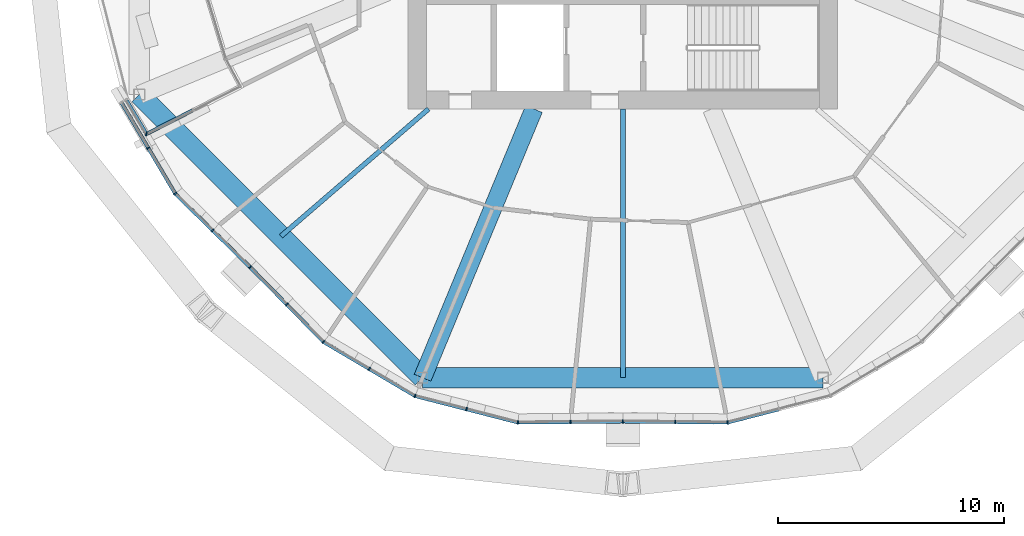
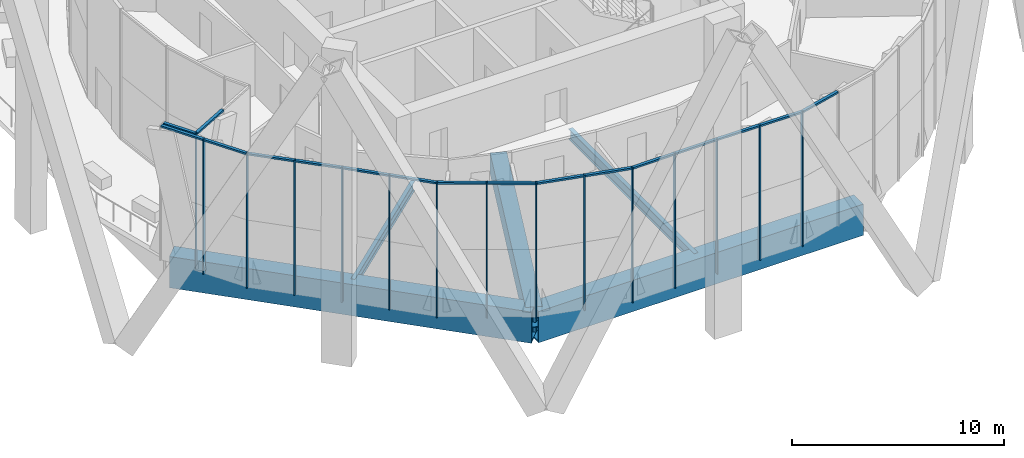
# One storey, part 3 of 30: 32 members, 5 beams, 4 elements without a shape of their own.
"""IFC4 building model written with IfcOpenShell, lengths in metres."""

from ifc_helpers import new_model, si_unit, direction, frame, origin, origin_2d, place, context, subcontext, project, spatial, rectangle, hollow_rectangle, i_section, extrude, material, material_profile, profile_set, type_object, element, aggregate, save


model = new_model("IFC4")

# Units and contexts
model_context = context("Model", 3, precision=1e-05, world=origin(), true_north=direction((0.0, 1.0)))
body_context = subcontext(model_context, "Body", "Model", "MODEL_VIEW")
ifc_project = project(units=[si_unit("LENGTHUNIT", "METRE"), si_unit("AREAUNIT", "SQUARE_METRE"), si_unit("VOLUMEUNIT", "CUBIC_METRE"), si_unit("PLANEANGLEUNIT", "RADIAN"), si_unit("MASSUNIT", "GRAM", prefix="KILO")], contexts=[model_context])

# Site, building, storey
site_placement = place(None, origin())
site = spatial("IfcSite", under=ifc_project, at=site_placement, CompositionType="ELEMENT")
building_placement = place(site_placement, origin())
building = spatial("IfcBuilding", under=site, at=building_placement, Name="Ogive Gate Towers", CompositionType="ELEMENT")
storey_placement = place(building_placement, frame((0.0, 0.0, 99.60009765625)))
storey = spatial("IfcBuildingStorey", under=building, at=storey_placement, Name="L23", CompositionType="ELEMENT", Elevation=99.60009765625)

# Beams
ifc_material_1 = material(Name="Steel SM460", Category="steel")
ifc_material_profile_1 = material_profile(ifc_material_1, hollow_rectangle(XDim=0.89990234375, YDim=1.800048828125, WallThickness=0.080078125, at=origin_2d()), Name="BX 1800x900x80")
ifc_profile_set_1 = profile_set([ifc_material_profile_1], Name="Steel SM460")
beam_type_1 = type_object("IfcBeamType", Name="Edge girder BX 1800x900x80", PredefinedType="BEAM", material=ifc_profile_set_1)
beam_1_placement = place(storey_placement, frame((-57.39697265625, -8.863037109375, -1.2001953125), z_axis=(0.707106781187, -0.707106781187, 0.0), x_axis=(0.707106781187, 0.707106781187, 0.0)))
element("IfcBeam", 1, at=beam_1_placement, inside=storey, type_object=beam_type_1, Name="T1/L23/SBM017", PredefinedType="BEAM", context=body_context, shape_type="SweptSolid", body=[
    extrude(hollow_rectangle(XDim=0.89990234375, YDim=1.800048828125, WallThickness=0.080078125, at=origin_2d()), origin(), (0.0, 0.0, 1.0), 17.7255859375),
])
beam_2_placement = place(storey_placement, frame((-44.863037109375, -21.39697265625, -1.2001953125), z_axis=(1.0, 0.0, 0.0), x_axis=(0.0, 1.0, 0.0)))
element("IfcBeam", 2, at=beam_2_placement, inside=storey, type_object=beam_type_1, Name="T1/L23/SBM018", PredefinedType="BEAM", context=body_context, shape_type="SweptSolid", body=[
    extrude(hollow_rectangle(XDim=0.89990234375, YDim=1.800048828125, WallThickness=0.080078125, at=origin_2d()), origin(), (0.0, 0.0, 1.0), 17.72607421875),
])
ifc_material_2 = material(Name="Steel SM355", Category="steel")
ifc_material_profile_2 = material_profile(ifc_material_2, i_section(OverallWidth=0.2099609375, OverallDepth=0.550048828125, WebThickness=0.010986328125, FlangeThickness=0.01708984375, FilletRadius=0.02392578125, at=origin_2d()), Name="IPE 550")
ifc_profile_set_2 = profile_set([ifc_material_profile_2], Name="Steel SM355")
beam_type_2 = type_object("IfcBeamType", Name="Radial floor beam IPE 550", PredefinedType="BEAM", material=ifc_profile_set_2)
beam_3_placement = place(storey_placement, frame((-44.60009765625, -9.5, -0.5751953125), z_axis=(-0.757366499315, -0.652990034928, 0.0), x_axis=(0.652990034928, -0.757366499315, 0.0)))
element("IfcBeam", 3, at=beam_3_placement, inside=storey, type_object=beam_type_2, Name="T1/L23/SBM002", PredefinedType="BEAM", context=body_context, shape_type="SweptSolid", body=[
    extrude(i_section(OverallWidth=0.2099609375, OverallDepth=0.550048828125, WebThickness=0.010986328125, FlangeThickness=0.01708984375, FilletRadius=0.02392578125, at=origin_2d()), origin(), (0.0, 0.0, 1.0), 8.62158203125),
])
ifc_material_profile_3 = material_profile(ifc_material_2, i_section(OverallWidth=0.219970703125, OverallDepth=0.60009765625, WebThickness=0.011962890625, FlangeThickness=0.01904296875, FilletRadius=0.02392578125, at=origin_2d()), Name="IPE 600")
ifc_profile_set_3 = profile_set([ifc_material_profile_3], Name="Steel SM355")
beam_type_3 = type_object("IfcBeamType", Name="Radial floor beam IPE 600", PredefinedType="BEAM", material=ifc_profile_set_3)
beam_4_placement = place(storey_placement, frame((-36.0, -9.5, -0.60009765625), z_axis=(0.0, -1.0, 0.0), x_axis=(1.0, 0.0, 0.0)))
element("IfcBeam", 4, at=beam_4_placement, inside=storey, type_object=beam_type_3, Name="T1/L23/SBM004", PredefinedType="BEAM", context=body_context, shape_type="SweptSolid", body=[
    extrude(i_section(OverallWidth=0.219970703125, OverallDepth=0.60009765625, WebThickness=0.011962890625, FlangeThickness=0.01904296875, FilletRadius=0.02392578125, at=origin_2d()), origin(), (0.0, 0.0, 1.0), 11.89697265625),
])

# Curtain wall, members
ifc_material_3 = material(Name="Pale metal aluminium", Category="aluminium")
curtain_wall_type = type_object("IfcCurtainWallType", Name="Tower unitised wall, low zone", PredefinedType="NOTDEFINED", material=ifc_material_3)
curtain_wall_1_placement = place(storey_placement, origin())
curtain_wall_1 = element("IfcCurtainWall", 5, at=curtain_wall_1_placement, inside=storey, type_object=curtain_wall_type, Name="CW1 T1 ECW07", PredefinedType="NOTDEFINED")
ifc_material_profile_4 = material_profile(ifc_material_3, rectangle(XDim=0.159912109375, YDim=0.06005859375, at=origin_2d()), Name="60 x 160 aluminium box")
ifc_profile_set_4 = profile_set([ifc_material_profile_4], Name="Pale metal aluminium")
member_type_1 = type_object("IfcMemberType", Name="Tower unitised wall, low zone mullion 60 x 160", PredefinedType="MULLION", material=ifc_profile_set_4)
member_1_placement = place(storey_placement, frame((-52.49658203125, -16.4970703125, -0.300048828125), z_axis=(0.0, 0.0, 1.0), x_axis=(0.700299028189, 0.713849613797, 0.0)))
member_1 = element("IfcMember", 6, at=member_1_placement, type_object=member_type_1, Name="CW1 mullion", PredefinedType="MULLION", context=body_context, shape_type="SweptSolid", body=[
    extrude(rectangle(XDim=0.159912109375, YDim=0.06005859375, at=origin_2d()), origin(), (0.0, 0.0, 1.0), 7.800048828125),
])
member_2_placement = place(storey_placement, frame((-54.152099609375, -14.873046875, -0.300048828125), z_axis=(0.0, 0.0, 1.0), x_axis=(0.700299028189, 0.713849613797, 0.0)))
member_2 = element("IfcMember", 7, at=member_2_placement, type_object=member_type_1, Name="CW1 mullion", PredefinedType="MULLION", context=body_context, shape_type="SweptSolid", body=[
    extrude(rectangle(XDim=0.159912109375, YDim=0.06005859375, at=origin_2d()), origin(), (0.0, 0.0, 1.0), 7.800048828125),
])
member_3_placement = place(storey_placement, frame((-55.809326171875, -13.2470703125, -0.300048828125), z_axis=(0.0, 0.0, 1.0), x_axis=(0.787387121413, 0.616458855912, 0.0)))
member_3 = element("IfcMember", 8, at=member_3_placement, type_object=member_type_1, Name="CW1 mullion", PredefinedType="MULLION", context=body_context, shape_type="SweptSolid", body=[
    extrude(rectangle(XDim=0.159912109375, YDim=0.06005859375, at=origin_2d()), origin(), (0.0, 0.0, 1.0), 7.800048828125),
])
member_4_placement = place(storey_placement, frame((-57.001953125, -11.22802734375, -0.300048828125), z_axis=(0.0, 0.0, 1.0), x_axis=(0.86103507103, 0.508545579527, 0.0)))
member_4 = element("IfcMember", 9, at=member_4_placement, type_object=member_type_1, Name="CW1 mullion", PredefinedType="MULLION", context=body_context, shape_type="SweptSolid", body=[
    extrude(rectangle(XDim=0.159912109375, YDim=0.06005859375, at=origin_2d()), origin(), (0.0, 0.0, 1.0), 7.800048828125),
])

# Curtain wall, member
curtain_wall_2_placement = place(storey_placement, origin())
curtain_wall_2 = element("IfcCurtainWall", 10, at=curtain_wall_2_placement, inside=storey, type_object=curtain_wall_type, Name="CW1 T1 ECW07b", PredefinedType="NOTDEFINED")
member_5_placement = place(storey_placement, frame((-57.090087890625, -10.617431640625, -0.300048828125), z_axis=(0.0, 0.0, 1.0), x_axis=(-0.279259259743, -0.960215739221, 0.0)))
member_5 = element("IfcMember", 11, at=member_5_placement, type_object=member_type_1, Name="CW1 mullion", PredefinedType="MULLION", context=body_context, shape_type="SweptSolid", body=[
    extrude(rectangle(XDim=0.159912109375, YDim=0.06005859375, at=origin_2d()), origin(), (0.0, 0.0, 1.0), 7.800048828125),
])

# Curtain wall, members
curtain_wall_3_placement = place(storey_placement, origin())
curtain_wall_3 = element("IfcCurtainWall", 12, at=curtain_wall_3_placement, inside=storey, type_object=curtain_wall_type, Name="CW1 T1 ECW08", PredefinedType="NOTDEFINED")
member_6_placement = place(storey_placement, frame((-35.999755859375, -23.330078125, -0.300048828125), z_axis=(0.0, 0.0, 1.0), x_axis=(-0.009616615949, 0.99995375928, 0.0)))
member_6 = element("IfcMember", 13, at=member_6_placement, type_object=member_type_1, Name="CW1 mullion", PredefinedType="MULLION", context=body_context, shape_type="SweptSolid", body=[
    extrude(rectangle(XDim=0.159912109375, YDim=0.06005859375, at=origin_2d()), origin(), (0.0, 0.0, 1.0), 7.800048828125),
])
member_7_placement = place(storey_placement, frame((-38.318603515625, -23.352294921875, -0.300048828125), z_axis=(0.0, 0.0, 1.0), x_axis=(-0.009599163462, 0.999953926969, 0.0)))
member_7 = element("IfcMember", 14, at=member_7_placement, type_object=member_type_1, Name="CW1 mullion", PredefinedType="MULLION", context=body_context, shape_type="SweptSolid", body=[
    extrude(rectangle(XDim=0.159912109375, YDim=0.06005859375, at=origin_2d()), origin(), (0.0, 0.0, 1.0), 7.800048828125),
])
member_8_placement = place(storey_placement, frame((-40.64013671875, -23.37451171875, -0.300048828125), z_axis=(0.0, 0.0, 1.0), x_axis=(0.120864535632, 0.992669010308, 0.0)))
member_8 = element("IfcMember", 15, at=member_8_placement, type_object=member_type_1, Name="CW1 mullion", PredefinedType="MULLION", context=body_context, shape_type="SweptSolid", body=[
    extrude(rectangle(XDim=0.159912109375, YDim=0.06005859375, at=origin_2d()), origin(), (0.0, 0.0, 1.0), 7.800048828125),
])
member_9_placement = place(storey_placement, frame((-42.918212890625, -22.788330078125, -0.300048828125), z_axis=(0.0, 0.0, 1.0), x_axis=(0.249247709738, 0.968439765391, 0.0)))
member_9 = element("IfcMember", 16, at=member_9_placement, type_object=member_type_1, Name="CW1 mullion", PredefinedType="MULLION", context=body_context, shape_type="SweptSolid", body=[
    extrude(rectangle(XDim=0.159912109375, YDim=0.06005859375, at=origin_2d()), origin(), (0.0, 0.0, 1.0), 7.800048828125),
])
member_10_placement = place(storey_placement, frame((-45.1962890625, -22.201904296875, -0.300048828125), z_axis=(0.0, 0.0, 1.0), x_axis=(0.382683432365, 0.923879532511, 0.0)))
member_10 = element("IfcMember", 17, at=member_10_placement, type_object=member_type_1, Name="CW1 mullion", PredefinedType="MULLION", context=body_context, shape_type="SweptSolid", body=[
    extrude(rectangle(XDim=0.159912109375, YDim=0.06005859375, at=origin_2d()), origin(), (0.0, 0.0, 1.0), 7.800048828125),
])
member_11_placement = place(storey_placement, frame((-47.221923828125, -21.005615234375, -0.300048828125), z_axis=(0.0, 0.0, 1.0), x_axis=(0.508545579527, 0.86103507103, 0.0)))
member_11 = element("IfcMember", 18, at=member_11_placement, type_object=member_type_1, Name="CW1 mullion", PredefinedType="MULLION", context=body_context, shape_type="SweptSolid", body=[
    extrude(rectangle(XDim=0.159912109375, YDim=0.06005859375, at=origin_2d()), origin(), (0.0, 0.0, 1.0), 7.800048828125),
])
member_12_placement = place(storey_placement, frame((-49.2470703125, -19.809326171875, -0.300048828125), z_axis=(0.0, 0.0, 1.0), x_axis=(0.616458855912, 0.787387121413, 0.0)))
member_12 = element("IfcMember", 19, at=member_12_placement, type_object=member_type_1, Name="CW1 mullion", PredefinedType="MULLION", context=body_context, shape_type="SweptSolid", body=[
    extrude(rectangle(XDim=0.159912109375, YDim=0.06005859375, at=origin_2d()), origin(), (0.0, 0.0, 1.0), 7.800048828125),
])
member_13_placement = place(storey_placement, frame((-50.873046875, -18.152099609375, -0.300048828125), z_axis=(0.0, 0.0, 1.0), x_axis=(0.713849613797, 0.700299028189, 0.0)))
member_13 = element("IfcMember", 20, at=member_13_placement, type_object=member_type_1, Name="CW1 mullion", PredefinedType="MULLION", context=body_context, shape_type="SweptSolid", body=[
    extrude(rectangle(XDim=0.159912109375, YDim=0.06005859375, at=origin_2d()), origin(), (0.0, 0.0, 1.0), 7.800048828125),
])

curtain_wall_4_placement = place(storey_placement, origin())
curtain_wall_4 = element("IfcCurtainWall", 21, at=curtain_wall_4_placement, inside=storey, type_object=curtain_wall_type, Name="CW1 T1 ECW09", PredefinedType="NOTDEFINED")
member_14_placement = place(storey_placement, frame((-31.35986328125, -23.37451171875, -0.300048828125), z_axis=(0.0, 0.0, 1.0), x_axis=(-0.120864535632, 0.992669010308, 0.0)))
member_14 = element("IfcMember", 22, at=member_14_placement, type_object=member_type_1, Name="CW1 mullion", PredefinedType="MULLION", context=body_context, shape_type="SweptSolid", body=[
    extrude(rectangle(XDim=0.159912109375, YDim=0.06005859375, at=origin_2d()), origin(), (0.0, 0.0, 1.0), 7.800048828125),
])
member_15_placement = place(storey_placement, frame((-33.681396484375, -23.352294921875, -0.300048828125), z_axis=(0.0, 0.0, 1.0), x_axis=(0.009599163462, 0.999953926969, 0.0)))
member_15 = element("IfcMember", 23, at=member_15_placement, type_object=member_type_1, Name="CW1 mullion", PredefinedType="MULLION", context=body_context, shape_type="SweptSolid", body=[
    extrude(rectangle(XDim=0.159912109375, YDim=0.06005859375, at=origin_2d()), origin(), (0.0, 0.0, 1.0), 7.800048828125),
])

# Member
ifc_material_profile_5 = material_profile(ifc_material_3, rectangle(XDim=0.159912109375, YDim=0.10009765625, at=origin_2d()), Name="100 x 160 aluminium box")
ifc_profile_set_5 = profile_set([ifc_material_profile_5], Name="Pale metal aluminium")
member_type_2 = type_object("IfcMemberType", Name="Tower unitised wall, low zone transom 100 x 160", PredefinedType="USERDEFINED", material=ifc_profile_set_5)
member_16_placement = place(storey_placement, frame((-52.51806640625, -16.47607421875, 7.449951171875), z_axis=(-0.713829147269, 0.700319890129, 0.0), x_axis=(-0.700319890129, -0.713829147269, 0.0)))
member_16 = element("IfcMember", 24, at=member_16_placement, type_object=member_type_2, Name="CW1 transom", ObjectType="TRANSOM", PredefinedType="USERDEFINED", context=body_context, shape_type="SweptSolid", body=[
    extrude(rectangle(XDim=0.159912109375, YDim=0.10009765625, at=origin_2d()), origin(), (0.0, 0.0, 1.0), 2.259033203125),
])

member_17_placement = place(storey_placement, frame((-54.173583984375, -14.85205078125, 7.449951171875), z_axis=(-0.713829147269, 0.700319890129, 0.0), x_axis=(-0.700319890129, -0.713829147269, 0.0)))
member_17 = element("IfcMember", 25, at=member_17_placement, type_object=member_type_2, Name="CW1 transom", ObjectType="TRANSOM", PredefinedType="USERDEFINED", context=body_context, shape_type="SweptSolid", body=[
    extrude(rectangle(XDim=0.159912109375, YDim=0.10009765625, at=origin_2d()), origin(), (0.0, 0.0, 1.0), 2.259033203125),
])

member_18_placement = place(storey_placement, frame((-55.826171875, -13.218994140625, 7.449951171875), z_axis=(-0.508552704811, 0.861030862646, 0.0), x_axis=(-0.861030862646, -0.508552704811, 0.0)))
member_18 = element("IfcMember", 26, at=member_18_placement, type_object=member_type_2, Name="CW1 transom", ObjectType="TRANSOM", PredefinedType="USERDEFINED", context=body_context, shape_type="SweptSolid", body=[
    extrude(rectangle(XDim=0.159912109375, YDim=0.10009765625, at=origin_2d()), origin(), (0.0, 0.0, 1.0), 2.2822265625),
])

member_19_placement = place(storey_placement, frame((-57.017333984375, -11.2021484375, 7.449951171875), z_axis=(-0.508505866799, 0.861058524975, 0.0), x_axis=(-0.861058524975, -0.508505866799, 0.0)))
member_19 = element("IfcMember", 27, at=member_19_placement, type_object=member_type_2, Name="CW1 transom", ObjectType="TRANSOM", PredefinedType="USERDEFINED", context=body_context, shape_type="SweptSolid", body=[
    extrude(rectangle(XDim=0.159912109375, YDim=0.10009765625, at=origin_2d()), origin(), (0.0, 0.0, 1.0), 2.282470703125),
])

aggregate(curtain_wall_1, [member_1, member_2, member_16, member_3, member_17, member_4, member_18, member_19])

member_20_placement = place(storey_placement, frame((-57.971435546875, -9.11474609375, 7.449951171875), z_axis=(0.508595848987, -0.861005378841, 0.0), x_axis=(0.861005378841, 0.508595848987, 0.0)))
member_20 = element("IfcMember", 28, at=member_20_placement, type_object=member_type_2, Name="CW1 transom", ObjectType="TRANSOM", PredefinedType="USERDEFINED", context=body_context, shape_type="SweptSolid", body=[
    extrude(rectangle(XDim=0.159912109375, YDim=0.10009765625, at=origin_2d()), origin(), (0.0, 0.0, 1.0), 1.7255859375),
])

member_21_placement = place(storey_placement, frame((-57.078125, -10.605224609375, 7.449951171875), z_axis=(0.890968718618, 0.454064689713, 0.0), x_axis=(-0.454064689713, 0.890968718618, 0.0)))
member_21 = element("IfcMember", 29, at=member_21_placement, type_object=member_type_2, Name="CW1 transom", ObjectType="TRANSOM", PredefinedType="USERDEFINED", context=body_context, shape_type="SweptSolid", body=[
    extrude(rectangle(XDim=0.159912109375, YDim=0.10009765625, at=origin_2d()), origin(), (0.0, 0.0, 1.0), 2.29052734375),
])

aggregate(curtain_wall_2, [member_5, member_20, member_21])

member_22_placement = place(storey_placement, frame((-36.02978515625, -23.330322265625, 7.449951171875), z_axis=(-0.999953745418, -0.009618057208, 0.0), x_axis=(0.009618057208, -0.999953745418, 0.0)))
member_22 = element("IfcMember", 30, at=member_22_placement, type_object=member_type_2, Name="CW1 transom", ObjectType="TRANSOM", PredefinedType="USERDEFINED", context=body_context, shape_type="SweptSolid", body=[
    extrude(rectangle(XDim=0.159912109375, YDim=0.10009765625, at=origin_2d()), origin(), (0.0, 0.0, 1.0), 2.259033203125),
])

member_23_placement = place(storey_placement, frame((-38.3486328125, -23.3525390625, 7.449951171875), z_axis=(-0.999953745418, -0.009618057208, 0.0), x_axis=(0.009618057208, -0.999953745418, 0.0)))
member_23 = element("IfcMember", 31, at=member_23_placement, type_object=member_type_2, Name="CW1 transom", ObjectType="TRANSOM", PredefinedType="USERDEFINED", context=body_context, shape_type="SweptSolid", body=[
    extrude(rectangle(XDim=0.159912109375, YDim=0.10009765625, at=origin_2d()), origin(), (0.0, 0.0, 1.0), 2.259033203125),
])

member_24_placement = place(storey_placement, frame((-40.671875, -23.366455078125, 7.449951171875), z_axis=(-0.968425293008, 0.249303934712, 0.0), x_axis=(-0.249303934712, -0.968425293008, 0.0)))
member_24 = element("IfcMember", 32, at=member_24_placement, type_object=member_type_2, Name="CW1 transom", ObjectType="TRANSOM", PredefinedType="USERDEFINED", context=body_context, shape_type="SweptSolid", body=[
    extrude(rectangle(XDim=0.159912109375, YDim=0.10009765625, at=origin_2d()), origin(), (0.0, 0.0, 1.0), 2.28955078125),
])

member_25_placement = place(storey_placement, frame((-42.947265625, -22.78076171875, 7.449951171875), z_axis=(-0.968451032757, 0.249203926839, 0.0), x_axis=(-0.249203926839, -0.968451032757, 0.0)))
member_25 = element("IfcMember", 33, at=member_25_placement, type_object=member_type_2, Name="CW1 transom", ObjectType="TRANSOM", PredefinedType="USERDEFINED", context=body_context, shape_type="SweptSolid", body=[
    extrude(rectangle(XDim=0.159912109375, YDim=0.10009765625, at=origin_2d()), origin(), (0.0, 0.0, 1.0), 2.28955078125),
])

member_26_placement = place(storey_placement, frame((-45.224609375, -22.185302734375, 7.449951171875), z_axis=(-0.861047505043, 0.508524526508, 0.0), x_axis=(-0.508524526508, -0.861047505043, 0.0)))
member_26 = element("IfcMember", 34, at=member_26_placement, type_object=member_type_2, Name="CW1 transom", ObjectType="TRANSOM", PredefinedType="USERDEFINED", context=body_context, shape_type="SweptSolid", body=[
    extrude(rectangle(XDim=0.159912109375, YDim=0.10009765625, at=origin_2d()), origin(), (0.0, 0.0, 1.0), 2.28955078125),
])

member_27_placement = place(storey_placement, frame((-47.247802734375, -20.990478515625, 7.449951171875), z_axis=(-0.861019926697, 0.508571220017, 0.0), x_axis=(-0.508571220017, -0.861019926697, 0.0)))
member_27 = element("IfcMember", 35, at=member_27_placement, type_object=member_type_2, Name="CW1 transom", ObjectType="TRANSOM", PredefinedType="USERDEFINED", context=body_context, shape_type="SweptSolid", body=[
    extrude(rectangle(XDim=0.159912109375, YDim=0.10009765625, at=origin_2d()), origin(), (0.0, 0.0, 1.0), 2.289306640625),
])

member_28_placement = place(storey_placement, frame((-49.27001953125, -19.7861328125, 7.449951171875), z_axis=(-0.700319890129, 0.713829147269, 0.0), x_axis=(-0.713829147269, -0.700319890129, 0.0)))
member_28 = element("IfcMember", 36, at=member_28_placement, type_object=member_type_2, Name="CW1 transom", ObjectType="TRANSOM", PredefinedType="USERDEFINED", context=body_context, shape_type="SweptSolid", body=[
    extrude(rectangle(XDim=0.159912109375, YDim=0.10009765625, at=origin_2d()), origin(), (0.0, 0.0, 1.0), 2.259033203125),
])

member_29_placement = place(storey_placement, frame((-50.89404296875, -18.130615234375, 7.449951171875), z_axis=(-0.700319890129, 0.713829147269, 0.0), x_axis=(-0.713829147269, -0.700319890129, 0.0)))
member_29 = element("IfcMember", 37, at=member_29_placement, type_object=member_type_2, Name="CW1 transom", ObjectType="TRANSOM", PredefinedType="USERDEFINED", context=body_context, shape_type="SweptSolid", body=[
    extrude(rectangle(XDim=0.159912109375, YDim=0.10009765625, at=origin_2d()), origin(), (0.0, 0.0, 1.0), 2.259033203125),
])

aggregate(curtain_wall_3, [member_6, member_7, member_22, member_8, member_23, member_9, member_24, member_10, member_25, member_11, member_26, member_12, member_27, member_13, member_28, member_29])

member_30_placement = place(storey_placement, frame((-29.11083984375, -22.795654296875, 7.449951171875), z_axis=(-0.968425293008, -0.249303934712, 0.0), x_axis=(0.249303934712, -0.968425293008, 0.0)))
member_30 = element("IfcMember", 38, at=member_30_placement, type_object=member_type_2, Name="CW1 transom", ObjectType="TRANSOM", PredefinedType="USERDEFINED", context=body_context, shape_type="SweptSolid", body=[
    extrude(rectangle(XDim=0.159912109375, YDim=0.10009765625, at=origin_2d()), origin(), (0.0, 0.0, 1.0), 2.28955078125),
])

member_31_placement = place(storey_placement, frame((-31.392333984375, -23.374267578125, 7.449951171875), z_axis=(-0.999953745418, 0.009618057208, 0.0), x_axis=(-0.009618057208, -0.999953745418, 0.0)))
member_31 = element("IfcMember", 39, at=member_31_placement, type_object=member_type_2, Name="CW1 transom", ObjectType="TRANSOM", PredefinedType="USERDEFINED", context=body_context, shape_type="SweptSolid", body=[
    extrude(rectangle(XDim=0.159912109375, YDim=0.10009765625, at=origin_2d()), origin(), (0.0, 0.0, 1.0), 2.259033203125),
])

member_32_placement = place(storey_placement, frame((-33.711181640625, -23.35205078125, 7.449951171875), z_axis=(-0.999953745418, 0.009618057208, 0.0), x_axis=(-0.009618057208, -0.999953745418, 0.0)))
member_32 = element("IfcMember", 40, at=member_32_placement, type_object=member_type_2, Name="CW1 transom", ObjectType="TRANSOM", PredefinedType="USERDEFINED", context=body_context, shape_type="SweptSolid", body=[
    extrude(rectangle(XDim=0.159912109375, YDim=0.10009765625, at=origin_2d()), origin(), (0.0, 0.0, 1.0), 2.259033203125),
])

aggregate(curtain_wall_4, [member_14, member_30, member_15, member_31, member_32])

# Beam
ifc_material_profile_6 = material_profile(ifc_material_1, hollow_rectangle(XDim=0.800048828125, YDim=1.199951171875, WallThickness=0.050048828125, at=origin_2d()), Name="BX 1200x800x50")
ifc_profile_set_6 = profile_set([ifc_material_profile_6], Name="Steel SM460")
beam_type_4 = type_object("IfcBeamType", Name="Transfer radial beam BX 1200x800x50", PredefinedType="BEAM", material=ifc_profile_set_6)
beam_5_placement = place(storey_placement, frame((-39.93505859375, -9.5, -0.900146484375), z_axis=(-0.382689470177, -0.923877031545, 0.0), x_axis=(0.923877031545, -0.382689470177, 0.0)))
element("IfcBeam", 41, at=beam_5_placement, inside=storey, type_object=beam_type_4, Name="T1/L23/SBM003", PredefinedType="BEAM", context=body_context, shape_type="SweptSolid", body=[
    extrude(hollow_rectangle(XDim=0.800048828125, YDim=1.199951171875, WallThickness=0.050048828125, at=origin_2d()), origin(), (0.0, 0.0, 1.0), 12.877197265625),
])

save(model, "model.ifc")
